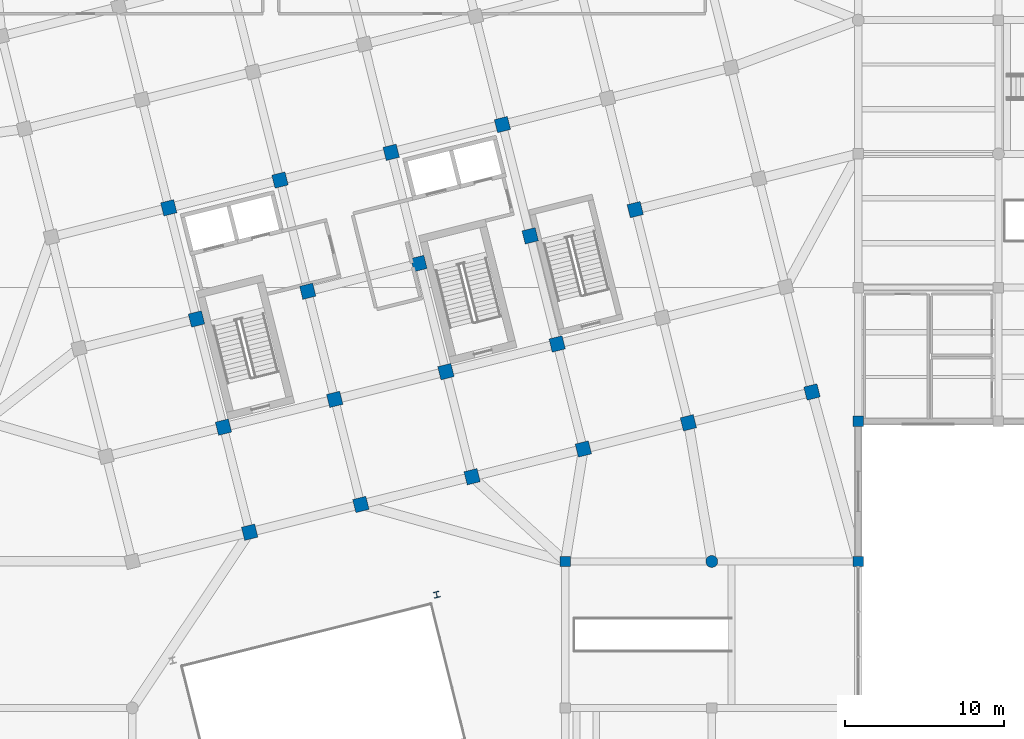
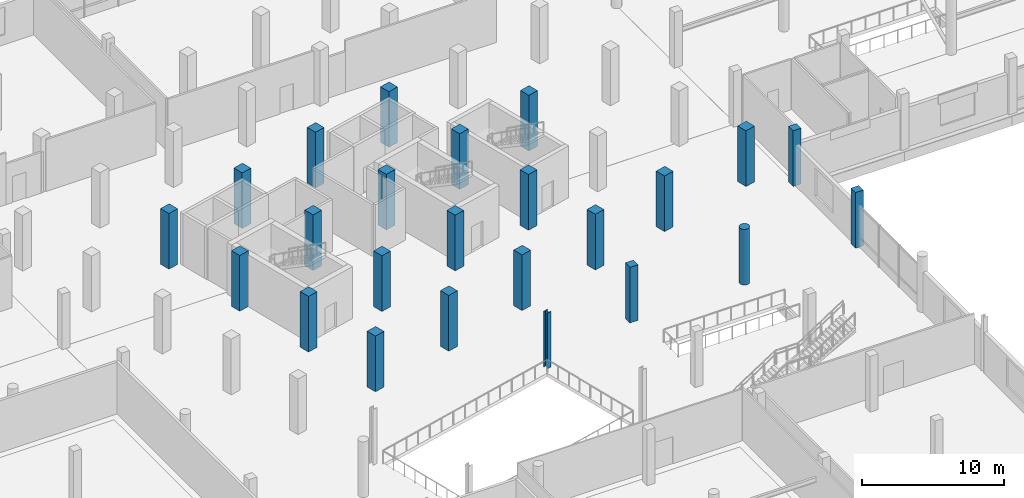
# One storey, part 6 of 71: 24 columns.
"""IFC4 building model written with IfcOpenShell, lengths in metres."""

from ifc_helpers import new_model, si_unit, direction, frame, origin, origin_2d, place, context, subcontext, project, spatial, rectangle, circle, i_section, extrude, material, material_profile, profile_set, type_object, element, save


model = new_model("IFC4")

# Units and contexts
model_context = context("Model", 3, precision=1e-05, world=origin(), true_north=direction((0.0, 1.0)))
body_context = subcontext(model_context, "Body", "Model", "MODEL_VIEW")
ifc_project = project(units=[si_unit("LENGTHUNIT", "METRE"), si_unit("AREAUNIT", "SQUARE_METRE"), si_unit("VOLUMEUNIT", "CUBIC_METRE"), si_unit("PLANEANGLEUNIT", "RADIAN"), si_unit("MASSUNIT", "GRAM", prefix="KILO")], contexts=[model_context])

# Site, building, storey
site_placement = place(None, origin())
site = spatial("IfcSite", under=ifc_project, at=site_placement, CompositionType="ELEMENT")
building_placement = place(site_placement, origin())
building = spatial("IfcBuilding", under=site, at=building_placement, Name="Meriwether Solvik Hall", CompositionType="ELEMENT")
storey_placement = place(building_placement, frame((0.0, 0.0, 5.10009765625)))
storey = spatial("IfcBuildingStorey", under=building, at=storey_placement, Name="L01", CompositionType="ELEMENT", Elevation=5.10009765625)

# Columns
ifc_material_1 = material(Name="Concrete C40/50", Category="concrete")
ifc_material_profile_1 = material_profile(ifc_material_1, rectangle(XDim=0.64990234375, YDim=0.64990234375, at=origin_2d()), Name="RCC-650X650")
ifc_profile_set_1 = profile_set([ifc_material_profile_1], Name="Concrete C40/50")
column_type_1 = type_object("IfcColumnType", Name="COL-RC-650", PredefinedType="COLUMN", material=ifc_profile_set_1)
for number, where, z_axis, x_axis, name in (
    (1, (95.800048828125, 41.199951171875, 0.0), (0.0, 0.0, 1.0), (1.0, 0.0, 0.0), "Podium Column 11/E (L01)"),
    (2, (114.199951171875, 41.199951171875, 0.0), (0.0, 0.0, 1.0), (1.0, 0.0, 0.0), "Podium Column 13/E (L01)"),
    (3, (114.199951171875, 50.0, 0.0), (0.0, 0.0, 1.0), (1.0, 0.0, 0.0), "Podium Column 13/F (L01)"),
):
    element("IfcColumn", number, at=place(storey_placement, frame(where, z_axis=z_axis, x_axis=x_axis)), inside=storey, type_object=column_type_1, Name=name, PredefinedType="COLUMN", context=body_context, shape_type="SweptSolid", body=[
        extrude(rectangle(XDim=0.64990234375, YDim=0.64990234375, at=origin_2d()), origin(), (0.0, 0.0, 1.0), 4.7998046875),
    ])
ifc_material_2 = material(Name="Concrete C40/50", Category="concrete")
ifc_material_profile_2 = material_profile(ifc_material_2, rectangle(XDim=0.85009765625, YDim=0.85009765625, at=origin_2d()), Name="RCC-850X850")
ifc_profile_set_2 = profile_set([ifc_material_profile_2], Name="Concrete C40/50")
column_type_2 = type_object("IfcColumnType", Name="COL-RC-850", PredefinedType="COLUMN", material=ifc_profile_set_2)
for number, where, z_axis, x_axis, name in (
    (4, (75.974365234375, 43.03857421875, 0.0), (0.0, 0.0, 1.0), (0.970295726276, 0.2419218956, 0.0), "Tower Column T2/TA (L01)"),
    (5, (74.3291015625, 49.63671875, 0.0), (0.0, 0.0, 1.0), (0.970295726276, 0.2419218956, 0.0), "Tower Column T2/TB (L01)"),
    (6, (72.6357421875, 56.4287109375, 0.0), (0.0, 0.0, 1.0), (0.970295726276, 0.2419218956, 0.0), "Tower Column T2/TC (L01)"),
    (7, (70.893798828125, 63.414794921875, 0.0), (0.0, 0.0, 1.0), (0.970295726276, 0.2419218956, 0.0), "Tower Column T2/TD (L01)"),
    (8, (82.96044921875, 44.780517578125, 0.0), (0.0, 0.0, 1.0), (0.970295726276, 0.2419218956, 0.0), "Tower Column T3/TA (L01)"),
    (9, (81.3154296875, 51.37841796875, 0.0), (0.0, 0.0, 1.0), (0.970295726276, 0.2419218956, 0.0), "Tower Column T3/TB (L01)"),
    (10, (79.621826171875, 58.17041015625, 0.0), (0.0, 0.0, 1.0), (0.970295726276, 0.2419218956, 0.0), "Tower Column T3/TC (L01)"),
    (11, (77.880126953125, 65.15673828125, 0.0), (0.0, 0.0, 1.0), (0.970295726276, 0.2419218956, 0.0), "Tower Column T3/TD (L01)"),
    (12, (89.946533203125, 46.522216796875, 0.0), (0.0, 0.0, 1.0), (0.970295726276, 0.2419218956, 0.0), "Tower Column T4/TA (L01)"),
    (13, (88.301513671875, 53.120361328125, 0.0), (0.0, 0.0, 1.0), (0.970295726276, 0.2419218956, 0.0), "Tower Column T4/TB (L01)"),
    (14, (86.60791015625, 59.912353515625, 0.0), (0.0, 0.0, 1.0), (0.970295726276, 0.2419218956, 0.0), "Tower Column T4/TC (L01)"),
    (15, (84.8662109375, 66.8984375, 0.0), (0.0, 0.0, 1.0), (0.970295726276, 0.2419218956, 0.0), "Tower Column T4/TD (L01)"),
    (16, (96.9326171875, 48.26416015625, 0.0), (0.0, 0.0, 1.0), (0.970295726276, 0.2419218956, 0.0), "Tower Column T5/TA (L01)"),
    (17, (95.28759765625, 54.862060546875, 0.0), (0.0, 0.0, 1.0), (0.970295726276, 0.2419218956, 0.0), "Tower Column T5/TB (L01)"),
    (18, (93.593994140625, 61.654296875, 0.0), (0.0, 0.0, 1.0), (0.970295726276, 0.2419218956, 0.0), "Tower Column T5/TC (L01)"),
    (19, (91.852294921875, 68.640380859375, 0.0), (0.0, 0.0, 1.0), (0.970295726276, 0.2419218956, 0.0), "Tower Column T5/TD (L01)"),
    (20, (103.53076171875, 49.9091796875, 0.0), (0.0, 0.0, 1.0), (0.970295726276, 0.2419218956, 0.0), "Tower Column T6/TA (L01)"),
    (21, (100.192138671875, 63.29931640625, 0.0), (0.0, 0.0, 1.0), (0.970295726276, 0.2419218956, 0.0), "Tower Column T6/TC (L01)"),
    (22, (111.29296875, 51.844482421875, 0.0), (0.0, 0.0, 1.0), (0.970295726276, 0.2419218956, 0.0), "Tower Column T7/TA (L01)"),
):
    element("IfcColumn", number, at=place(storey_placement, frame(where, z_axis=z_axis, x_axis=x_axis)), inside=storey, type_object=column_type_2, Name=name, PredefinedType="COLUMN", context=body_context, shape_type="SweptSolid", body=[
        extrude(rectangle(XDim=0.85009765625, YDim=0.85009765625, at=origin_2d()), origin(), (0.0, 0.0, 1.0), 4.7998046875),
    ])
ifc_material_3 = material(Name="Concrete C40/50", Category="concrete")
ifc_material_profile_3 = material_profile(ifc_material_3, circle(Radius=0.375, at=origin_2d()), Name="RCC-D750")
ifc_profile_set_3 = profile_set([ifc_material_profile_3], Name="Concrete C40/50")
column_type_3 = type_object("IfcColumnType", Name="COL-RC-D750", PredefinedType="COLUMN", material=ifc_profile_set_3)
column_1_placement = place(storey_placement, frame((105.0, 41.199951171875, 0.0), z_axis=(0.0, 0.0, 1.0), x_axis=(1.0, 0.0, 0.0)))
element("IfcColumn", 23, at=column_1_placement, inside=storey, type_object=column_type_3, Name="Podium Column 12/E (L01)", PredefinedType="COLUMN", context=body_context, shape_type="SweptSolid", body=[
    extrude(circle(Radius=0.375, at=origin_2d()), origin(), (0.0, 0.0, 1.0), 4.7998046875),
])
ifc_material_4 = material(Name="Steel A992 Grade 50", Category="steel")
ifc_material_profile_4 = material_profile(ifc_material_4, i_section(OverallWidth=0.3740234375, OverallDepth=0.3720703125, WebThickness=0.016357421875, FlangeThickness=0.026123046875, at=origin_2d()), Name="W14X132")
ifc_profile_set_4 = profile_set([ifc_material_profile_4], Name="Steel A992 Grade 50")
column_type_4 = type_object("IfcColumnType", Name="COL-STL-W14X132", PredefinedType="COLUMN", material=ifc_profile_set_4)
column_2_placement = place(storey_placement, frame((87.72265625, 39.1142578125, 0.0), z_axis=(0.0, 0.0, 1.0), x_axis=(0.970295726276, 0.2419218956, 0.0)))
element("IfcColumn", 24, at=column_2_placement, inside=storey, type_object=column_type_4, Name="Atrium Cleft Corner Column NE (L01)", PredefinedType="COLUMN", context=body_context, shape_type="SweptSolid", body=[
    extrude(i_section(OverallWidth=0.3740234375, OverallDepth=0.3720703125, WebThickness=0.016357421875, FlangeThickness=0.026123046875, at=origin_2d()), origin(), (0.0, 0.0, 1.0), 4.7998046875),
])

save(model, "model.ifc")
